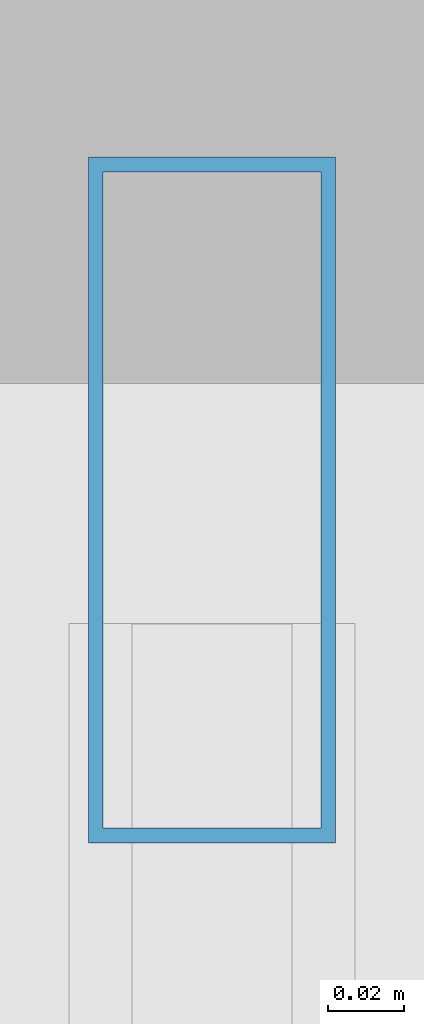
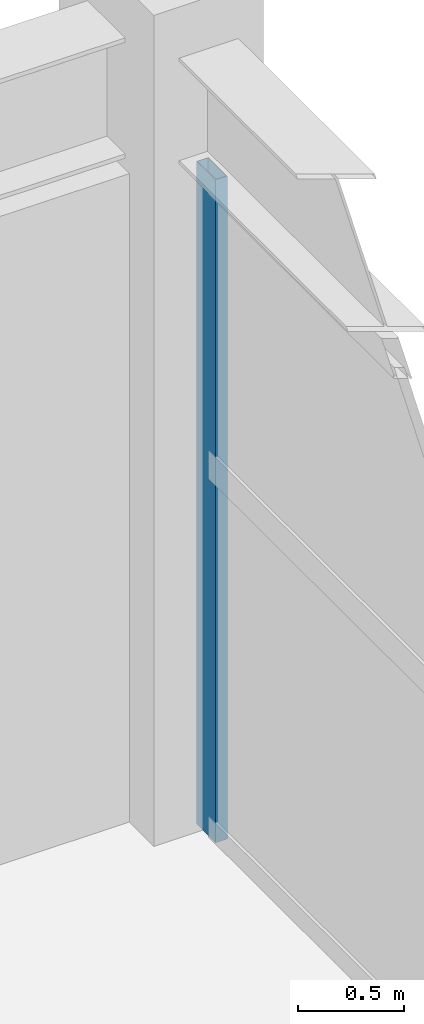
# One storey, part 33 of 62: 1 member, 1 element without a shape of its own.
"""IFC4 building model written with IfcOpenShell, lengths in metres."""

from ifc_helpers import new_model, si_unit, direction, frame, origin, origin_2d, place, context, subcontext, project, spatial, hollow_rectangle, extrude, material, layer, layer_set, material_profile, profile_set, type_object, element, aggregate, save


model = new_model("IFC4")

# Units and contexts
model_context = context("Model", 3, precision=1e-05, world=origin(), true_north=direction((0.0, 1.0)))
body_context = subcontext(model_context, "Body", "Model", "MODEL_VIEW")
ifc_project = project(units=[si_unit("LENGTHUNIT", "METRE"), si_unit("AREAUNIT", "SQUARE_METRE"), si_unit("VOLUMEUNIT", "CUBIC_METRE"), si_unit("PLANEANGLEUNIT", "RADIAN"), si_unit("MASSUNIT", "GRAM", prefix="KILO")], contexts=[model_context])

# Site, building, storey
site_placement = place(None, origin())
site = spatial("IfcSite", under=ifc_project, at=site_placement, CompositionType="ELEMENT")
building_placement = place(site_placement, origin())
building = spatial("IfcBuilding", under=site, at=building_placement, Name="Vaelkrest Opera House", CompositionType="ELEMENT")
storey_placement = place(building_placement, frame((0.0, 0.0, 19.800048828125)))
storey = spatial("IfcBuildingStorey", under=building, at=storey_placement, Name="L04", CompositionType="ELEMENT", Elevation=19.800048828125)

# Curtain wall, member
ifc_material = material(Name="Dark bronze anodized aluminium", Category="aluminium")
ifc_layer = layer(ifc_material, 0.219970703125)
ifc_layer_set = layer_set([ifc_layer], Name="Dark bronze anodized aluminium")
curtain_wall_type = type_object("IfcCurtainWallType", Name="CW05", PredefinedType="NOTDEFINED", material=ifc_layer_set)
curtain_wall_placement = place(storey_placement, origin())
curtain_wall = element("IfcCurtainWall", 1, at=curtain_wall_placement, inside=storey, type_object=curtain_wall_type, Name="Curtain wall CW-L04-170", PredefinedType="NOTDEFINED")
ifc_material_profile = material_profile(ifc_material, hollow_rectangle(XDim=0.06494140625, YDim=0.179931640625, WallThickness=0.00390625, at=origin_2d()), Name="CWM65X180")
ifc_profile_set = profile_set([ifc_material_profile], Name="Dark bronze anodized aluminium")
member_type = type_object("IfcMemberType", Name="CWM01", PredefinedType="MULLION", material=ifc_profile_set)
member_placement = place(storey_placement, frame((68.800048828125, 24.719482421875, 0.0), z_axis=(0.0, 0.0, 1.0), x_axis=(1.0, 0.0, 0.0)))
member = element("IfcMember", 2, at=member_placement, type_object=member_type, Name="CW05 mullion 1", PredefinedType="MULLION", context=body_context, shape_type="SweptSolid", body=[
    extrude(hollow_rectangle(XDim=0.06494140625, YDim=0.179931640625, WallThickness=0.00390625, at=origin_2d()), origin(), (0.0, 0.0, 1.0), 3.828857421875),
])
aggregate(curtain_wall, [member])

save(model, "model.ifc")
